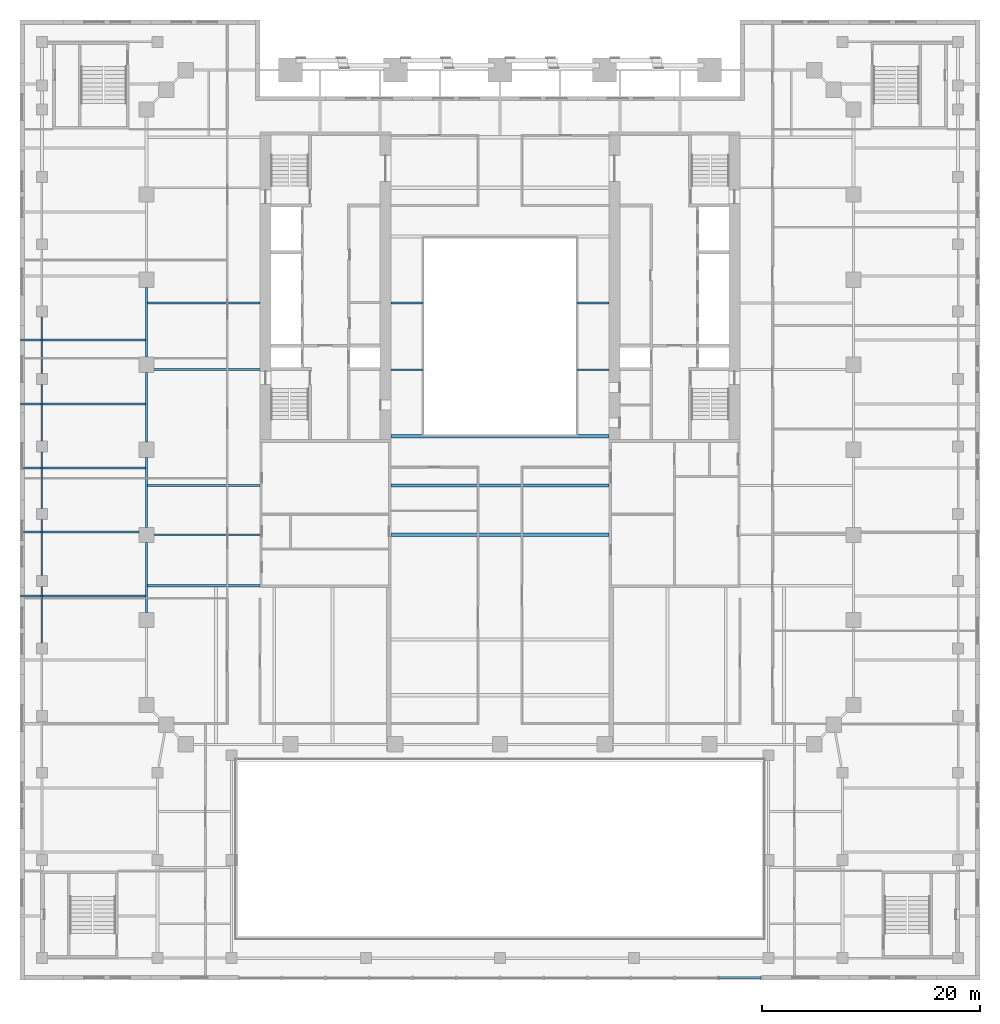
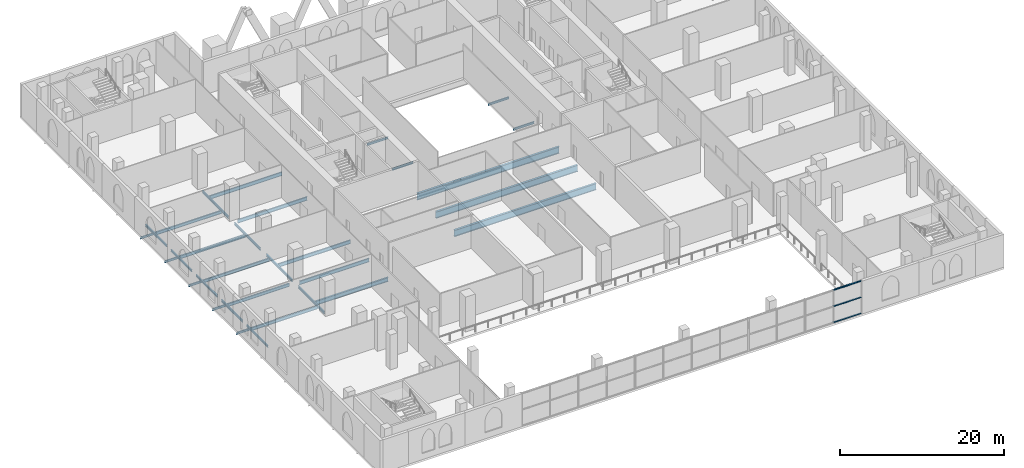
# One storey, part 4 of 22: 31 beams, 3 members, 1 element without a shape of its own.
"""IFC4 building model written with IfcOpenShell, lengths in metres."""

from ifc_helpers import new_model, si_unit, direction, frame, origin, origin_2d, place, context, subcontext, project, spatial, rectangle, i_section, extrude, material, material_profile, profile_set, type_object, element, aggregate, save


model = new_model("IFC4")

# Units and contexts
model_context = context("Model", 3, precision=1e-05, world=origin(), true_north=direction((0.0, 1.0)))
body_context = subcontext(model_context, "Body", "Model", "MODEL_VIEW")
ifc_project = project(units=[si_unit("LENGTHUNIT", "METRE"), si_unit("AREAUNIT", "SQUARE_METRE"), si_unit("VOLUMEUNIT", "CUBIC_METRE"), si_unit("PLANEANGLEUNIT", "RADIAN"), si_unit("MASSUNIT", "GRAM", prefix="KILO")], contexts=[model_context])

# Site, building, storey
site_placement = place(None, origin())
site = spatial("IfcSite", under=ifc_project, at=site_placement, CompositionType="ELEMENT")
building_placement = place(site_placement, origin())
building = spatial("IfcBuilding", under=site, at=building_placement, Name="Ogive Exchange Tower", CompositionType="ELEMENT")
storey_placement = place(building_placement, frame((0.0, 0.0, 14.0)))
storey = spatial("IfcBuildingStorey", under=building, at=storey_placement, Name="L02", CompositionType="ELEMENT", Elevation=14.0)

# Beams
ifc_material_1 = material(Name="Steel ASTM A992 Gr50", Category="steel")
ifc_material_profile_1 = material_profile(ifc_material_1, i_section(OverallWidth=0.300048828125, OverallDepth=0.969970703125, WebThickness=0.01611328125, FlangeThickness=0.02099609375, at=origin_2d()), Name="W1000x222")
ifc_profile_set_1 = profile_set([ifc_material_profile_1], Name="Steel ASTM A992 Gr50")
beam_type_1 = type_object("IfcBeamType", Name="Floor beam W1000x222", PredefinedType="JOIST", material=ifc_profile_set_1)
for number, where, z_axis, x_axis, name in (
    (1, (-10.0, -11.17822265625, -0.784912109375), (1.0, 0.0, 0.0), (0.0, 1.0, 0.0), "Floor beam"),
    (2, (-10.0, -6.666748046875, -0.784912109375), (1.0, 0.0, 0.0), (0.0, 1.0, 0.0), "Floor beam"),
):
    element("IfcBeam", number, at=place(storey_placement, frame(where, z_axis=z_axis, x_axis=x_axis)), inside=storey, type_object=beam_type_1, Name=name, PredefinedType="JOIST", context=body_context, shape_type="SweptSolid", body=[
        extrude(i_section(OverallWidth=0.300048828125, OverallDepth=0.969970703125, WebThickness=0.01611328125, FlangeThickness=0.02099609375, at=origin_2d()), origin(), (0.0, 0.0, 1.0), 20.0),
    ])
ifc_material_profile_2 = material_profile(ifc_material_1, i_section(OverallWidth=0.1650390625, OverallDepth=0.31005859375, WebThickness=0.005859375, FlangeThickness=0.009765625, at=origin_2d()), Name="W310x38.7")
ifc_profile_set_2 = profile_set([ifc_material_profile_2], Name="Steel ASTM A992 Gr50")
beam_type_2 = type_object("IfcBeamType", Name="Floor beam W310x38.7", PredefinedType="JOIST", material=ifc_profile_set_2)
for number, where, z_axis, x_axis, name in (
    (3, (-10.0, 3.9482421875, -0.455078125), (1.0, 0.0, 0.0), (0.0, 1.0, 0.0), "Floor beam"),
    (4, (7.050048828125, 3.9482421875, -0.455078125), (1.0, 0.0, 0.0), (0.0, 1.0, 0.0), "Floor beam"),
    (5, (-10.0, 10.0517578125, -0.455078125), (1.0, 0.0, 0.0), (0.0, 1.0, 0.0), "Floor beam"),
    (6, (7.050048828125, 10.0517578125, -0.455078125), (1.0, 0.0, 0.0), (0.0, 1.0, 0.0), "Floor beam"),
):
    element("IfcBeam", number, at=place(storey_placement, frame(where, z_axis=z_axis, x_axis=x_axis)), inside=storey, type_object=beam_type_2, Name=name, PredefinedType="JOIST", context=body_context, shape_type="SweptSolid", body=[
        extrude(i_section(OverallWidth=0.1650390625, OverallDepth=0.31005859375, WebThickness=0.005859375, FlangeThickness=0.009765625, at=origin_2d()), origin(), (0.0, 0.0, 1.0), 2.949951171875),
    ])
for number, where, z_axis, x_axis, name in (
    (7, (-43.949951171875, -16.800048828125, -0.455078125), (1.0, 0.0, 0.0), (0.0, 1.0, 0.0), "Floor beam"),
    (8, (-43.949951171875, -10.933349609375, -0.455078125), (1.0, 0.0, 0.0), (0.0, 1.0, 0.0), "Floor beam"),
    (9, (-43.949951171875, -5.066650390625, -0.455078125), (1.0, 0.0, 0.0), (0.0, 1.0, 0.0), "Floor beam"),
    (10, (-43.949951171875, 0.800048828125, -0.455078125), (1.0, 0.0, 0.0), (0.0, 1.0, 0.0), "Floor beam"),
    (11, (-43.949951171875, 6.666748046875, -0.455078125), (1.0, 0.0, 0.0), (0.0, 1.0, 0.0), "Floor beam"),
):
    element("IfcBeam", number, at=place(storey_placement, frame(where, z_axis=z_axis, x_axis=x_axis)), inside=storey, type_object=beam_type_2, Name=name, PredefinedType="JOIST", context=body_context, shape_type="SweptSolid", body=[
        extrude(i_section(OverallWidth=0.1650390625, OverallDepth=0.31005859375, WebThickness=0.005859375, FlangeThickness=0.009765625, at=origin_2d()), origin(), (0.0, 0.0, 1.0), 1.867431640625),
    ])
ifc_material_profile_3 = material_profile(ifc_material_1, i_section(OverallWidth=0.19091796875, OverallDepth=0.45703125, WebThickness=0.009033203125, FlangeThickness=0.014404296875, at=origin_2d()), Name="W460x74")
ifc_profile_set_3 = profile_set([ifc_material_profile_3], Name="Steel ASTM A992 Gr50")
beam_type_3 = type_object("IfcBeamType", Name="Floor beam W460x74", PredefinedType="JOIST", material=ifc_profile_set_3)
beam_1_placement = place(storey_placement, frame((-41.91748046875, -16.800048828125, -0.528564453125), z_axis=(1.0, 0.0, 0.0), x_axis=(0.0, 1.0, 0.0)))
element("IfcBeam", 12, at=beam_1_placement, inside=storey, type_object=beam_type_3, Name="Floor beam", PredefinedType="JOIST", context=body_context, shape_type="SweptSolid", body=[
    extrude(i_section(OverallWidth=0.19091796875, OverallDepth=0.45703125, WebThickness=0.009033203125, FlangeThickness=0.014404296875, at=origin_2d()), origin(), (0.0, 0.0, 1.0), 9.431884765625),
])
beam_2_placement = place(storey_placement, frame((-41.91748046875, -10.933349609375, -0.528564453125), z_axis=(1.0, 0.0, 0.0), x_axis=(0.0, 1.0, 0.0)))
element("IfcBeam", 13, at=beam_2_placement, inside=storey, type_object=beam_type_3, Name="Floor beam", PredefinedType="JOIST", context=body_context, shape_type="SweptSolid", body=[
    extrude(i_section(OverallWidth=0.19091796875, OverallDepth=0.45703125, WebThickness=0.009033203125, FlangeThickness=0.014404296875, at=origin_2d()), origin(), (0.0, 0.0, 1.0), 8.8173828125),
])
for number, where, z_axis, x_axis, name in (
    (14, (-41.91748046875, -5.066650390625, -0.528564453125), (1.0, 0.0, 0.0), (0.0, 1.0, 0.0), "Floor beam"),
    (15, (-41.91748046875, 0.800048828125, -0.528564453125), (1.0, 0.0, 0.0), (0.0, 1.0, 0.0), "Floor beam"),
    (16, (-41.91748046875, 6.666748046875, -0.528564453125), (1.0, 0.0, 0.0), (0.0, 1.0, 0.0), "Floor beam"),
):
    element("IfcBeam", number, at=place(storey_placement, frame(where, z_axis=z_axis, x_axis=x_axis)), inside=storey, type_object=beam_type_3, Name=name, PredefinedType="JOIST", context=body_context, shape_type="SweptSolid", body=[
        extrude(i_section(OverallWidth=0.19091796875, OverallDepth=0.45703125, WebThickness=0.009033203125, FlangeThickness=0.014404296875, at=origin_2d()), origin(), (0.0, 0.0, 1.0), 9.431884765625),
    ])
ifc_material_profile_4 = material_profile(ifc_material_1, i_section(OverallWidth=0.1669921875, OverallDepth=0.535888671875, WebThickness=0.01025390625, FlangeThickness=0.0166015625, at=origin_2d()), Name="W530x85")
ifc_profile_set_4 = profile_set([ifc_material_profile_4], Name="Steel ASTM A992 Gr50")
beam_type_4 = type_object("IfcBeamType", Name="Floor beam W530x85", PredefinedType="JOIST", material=ifc_profile_set_4)
beam_3_placement = place(storey_placement, frame((-31.800048828125, -11.17822265625, -0.568115234375), z_axis=(1.0, 0.0, 0.0), x_axis=(0.0, 1.0, 0.0)))
element("IfcBeam", 17, at=beam_3_placement, inside=storey, type_object=beam_type_4, Name="Floor beam", PredefinedType="JOIST", context=body_context, shape_type="SweptSolid", body=[
    extrude(i_section(OverallWidth=0.1669921875, OverallDepth=0.535888671875, WebThickness=0.01025390625, FlangeThickness=0.0166015625, at=origin_2d()), origin(), (0.0, 0.0, 1.0), 9.800048828125),
])
beam_4_placement = place(storey_placement, frame((-32.344970703125, -6.666748046875, -0.568115234375), z_axis=(1.0, 0.0, 0.0), x_axis=(0.0, 1.0, 0.0)))
element("IfcBeam", 18, at=beam_4_placement, inside=storey, type_object=beam_type_4, Name="Floor beam", PredefinedType="JOIST", context=body_context, shape_type="SweptSolid", body=[
    extrude(i_section(OverallWidth=0.1669921875, OverallDepth=0.535888671875, WebThickness=0.01025390625, FlangeThickness=0.0166015625, at=origin_2d()), origin(), (0.0, 0.0, 1.0), 10.344970703125),
])
beam_5_placement = place(storey_placement, frame((-31.800048828125, 3.9482421875, -0.568115234375), z_axis=(1.0, 0.0, 0.0), x_axis=(0.0, 1.0, 0.0)))
element("IfcBeam", 19, at=beam_5_placement, inside=storey, type_object=beam_type_4, Name="Floor beam", PredefinedType="JOIST", context=body_context, shape_type="SweptSolid", body=[
    extrude(i_section(OverallWidth=0.1669921875, OverallDepth=0.535888671875, WebThickness=0.01025390625, FlangeThickness=0.0166015625, at=origin_2d()), origin(), (0.0, 0.0, 1.0), 9.800048828125),
])
beam_6_placement = place(storey_placement, frame((-32.344970703125, 10.0517578125, -0.568115234375), z_axis=(1.0, 0.0, 0.0), x_axis=(0.0, 1.0, 0.0)))
element("IfcBeam", 20, at=beam_6_placement, inside=storey, type_object=beam_type_4, Name="Floor beam", PredefinedType="JOIST", context=body_context, shape_type="SweptSolid", body=[
    extrude(i_section(OverallWidth=0.1669921875, OverallDepth=0.535888671875, WebThickness=0.01025390625, FlangeThickness=0.0166015625, at=origin_2d()), origin(), (0.0, 0.0, 1.0), 10.344970703125),
])

# Curtain wall, members
ifc_material_2 = material(Name="Anodised aluminium and clear glass", Category="aluminium")
curtain_wall_type = type_object("IfcCurtainWallType", Name="Galleria end wall glazing", PredefinedType="NOTDEFINED", material=ifc_material_2)
curtain_wall_placement = place(storey_placement, origin())
curtain_wall = element("IfcCurtainWall", 21, at=curtain_wall_placement, inside=storey, type_object=curtain_wall_type, Name="Galleria end wall glazing run GE9", PredefinedType="NOTDEFINED")
ifc_material_3 = material(Name="Anodised aluminium", Category="aluminium")
ifc_material_profile_5 = material_profile(ifc_material_3, rectangle(XDim=0.219970703125, YDim=0.080078125, at=origin_2d()), Name="AL 80x220")
ifc_profile_set_5 = profile_set([ifc_material_profile_5], Name="Anodised aluminium")
member_type = type_object("IfcMemberType", Name="Galleria end wall glazing transom 80 x 220", PredefinedType="USERDEFINED", material=ifc_profile_set_5)
member_1_placement = place(storey_placement, frame((20.0400390625, -51.800048828125, 0.0400390625), z_axis=(1.0, 0.0, 0.0), x_axis=(0.0, 1.0, 0.0)))
member_1 = element("IfcMember", 22, at=member_1_placement, type_object=member_type, Name="GE9 transom 2.1", ObjectType="TRANSOM", PredefinedType="USERDEFINED", context=body_context, shape_type="SweptSolid", body=[
    extrude(rectangle(XDim=0.219970703125, YDim=0.080078125, at=origin_2d()), origin(), (0.0, 0.0, 1.0), 3.8798828125),
])
member_2_placement = place(storey_placement, frame((20.0400390625, -51.800048828125, 2.449951171875), z_axis=(1.0, 0.0, 0.0), x_axis=(0.0, 1.0, 0.0)))
member_2 = element("IfcMember", 23, at=member_2_placement, type_object=member_type, Name="GE9 transom 2.2", ObjectType="TRANSOM", PredefinedType="USERDEFINED", context=body_context, shape_type="SweptSolid", body=[
    extrude(rectangle(XDim=0.219970703125, YDim=0.080078125, at=origin_2d()), origin(), (0.0, 0.0, 1.0), 3.8798828125),
])
member_3_placement = place(storey_placement, frame((20.0400390625, -51.800048828125, 4.860107421875), z_axis=(1.0, 0.0, 0.0), x_axis=(0.0, 1.0, 0.0)))
member_3 = element("IfcMember", 24, at=member_3_placement, type_object=member_type, Name="GE9 transom 2.3", ObjectType="TRANSOM", PredefinedType="USERDEFINED", context=body_context, shape_type="SweptSolid", body=[
    extrude(rectangle(XDim=0.219970703125, YDim=0.080078125, at=origin_2d()), origin(), (0.0, 0.0, 1.0), 3.8798828125),
])
aggregate(curtain_wall, [member_1, member_2, member_3])

# Beams
ifc_material_profile_6 = material_profile(ifc_material_1, i_section(OverallWidth=0.300048828125, OverallDepth=0.97998046875, WebThickness=0.0166015625, FlangeThickness=0.026123046875, at=origin_2d()), Name="W1000x249")
ifc_profile_set_6 = profile_set([ifc_material_profile_6], Name="Steel ASTM A992 Gr50")
beam_type_5 = type_object("IfcBeamType", Name="Girder W1000x249", PredefinedType="BEAM", material=ifc_profile_set_6)
beam_7_placement = place(storey_placement, frame((-10.0, -2.155029296875, -0.7900390625), z_axis=(1.0, 0.0, 0.0), x_axis=(0.0, 1.0, 0.0)))
element("IfcBeam", 25, at=beam_7_placement, inside=storey, type_object=beam_type_5, Name="Trimmer girder", PredefinedType="BEAM", context=body_context, shape_type="SweptSolid", body=[
    extrude(i_section(OverallWidth=0.300048828125, OverallDepth=0.97998046875, WebThickness=0.0166015625, FlangeThickness=0.026123046875, at=origin_2d()), origin(), (0.0, 0.0, 1.0), 20.0),
])
ifc_material_profile_7 = material_profile(ifc_material_1, i_section(OverallWidth=0.1650390625, OverallDepth=0.31005859375, WebThickness=0.005859375, FlangeThickness=0.009765625, at=origin_2d()), Name="W310x38.7")
ifc_profile_set_7 = profile_set([ifc_material_profile_7], Name="Steel ASTM A992 Gr50")
beam_type_6 = type_object("IfcBeamType", Name="Girder W310x38.7", PredefinedType="BEAM", material=ifc_profile_set_7)
beam_8_placement = place(storey_placement, frame((-42.0, -21.1201171875, -0.455078125), z_axis=(0.0, 1.0, 0.0), x_axis=(-1.0, 0.0, 0.0)))
element("IfcBeam", 26, at=beam_8_placement, inside=storey, type_object=beam_type_6, Name="Girder", PredefinedType="BEAM", context=body_context, shape_type="SweptSolid", body=[
    extrude(i_section(OverallWidth=0.1650390625, OverallDepth=0.31005859375, WebThickness=0.005859375, FlangeThickness=0.009765625, at=origin_2d()), origin(), (0.0, 0.0, 1.0), 5.18017578125),
])
beam_9_placement = place(storey_placement, frame((-42.0, -14.93994140625, -0.455078125), z_axis=(0.0, 1.0, 0.0), x_axis=(-1.0, 0.0, 0.0)))
element("IfcBeam", 27, at=beam_9_placement, inside=storey, type_object=beam_type_6, Name="Girder", PredefinedType="BEAM", context=body_context, shape_type="SweptSolid", body=[
    extrude(i_section(OverallWidth=0.1650390625, OverallDepth=0.31005859375, WebThickness=0.005859375, FlangeThickness=0.009765625, at=origin_2d()), origin(), (0.0, 0.0, 1.0), 5.169921875),
])
beam_10_placement = place(storey_placement, frame((-42.0, -8.77001953125, -0.455078125), z_axis=(0.0, 1.0, 0.0), x_axis=(-1.0, 0.0, 0.0)))
element("IfcBeam", 28, at=beam_10_placement, inside=storey, type_object=beam_type_6, Name="Girder", PredefinedType="BEAM", context=body_context, shape_type="SweptSolid", body=[
    extrude(i_section(OverallWidth=0.1650390625, OverallDepth=0.31005859375, WebThickness=0.005859375, FlangeThickness=0.009765625, at=origin_2d()), origin(), (0.0, 0.0, 1.0), 5.179931640625),
])
beam_11_placement = place(storey_placement, frame((-42.0, -2.590087890625, -0.455078125), z_axis=(0.0, 1.0, 0.0), x_axis=(-1.0, 0.0, 0.0)))
element("IfcBeam", 29, at=beam_11_placement, inside=storey, type_object=beam_type_6, Name="Girder", PredefinedType="BEAM", context=body_context, shape_type="SweptSolid", body=[
    extrude(i_section(OverallWidth=0.1650390625, OverallDepth=0.31005859375, WebThickness=0.005859375, FlangeThickness=0.009765625, at=origin_2d()), origin(), (0.0, 0.0, 1.0), 5.18017578125),
])
beam_12_placement = place(storey_placement, frame((-42.0, 3.590087890625, -0.455078125), z_axis=(0.0, 1.0, 0.0), x_axis=(-1.0, 0.0, 0.0)))
element("IfcBeam", 30, at=beam_12_placement, inside=storey, type_object=beam_type_6, Name="Girder", PredefinedType="BEAM", context=body_context, shape_type="SweptSolid", body=[
    extrude(i_section(OverallWidth=0.1650390625, OverallDepth=0.31005859375, WebThickness=0.005859375, FlangeThickness=0.009765625, at=origin_2d()), origin(), (0.0, 0.0, 1.0), 5.179931640625),
])
ifc_material_profile_8 = material_profile(ifc_material_1, i_section(OverallWidth=0.1708984375, OverallDepth=0.35595703125, WebThickness=0.00732421875, FlangeThickness=0.01171875, at=origin_2d()), Name="W360x51")
ifc_profile_set_8 = profile_set([ifc_material_profile_8], Name="Steel ASTM A992 Gr50")
beam_type_7 = type_object("IfcBeamType", Name="Girder W360x51", PredefinedType="BEAM", material=ifc_profile_set_8)
for number, where, z_axis, x_axis, name in (
    (31, (-32.39990234375, 11.5, -0.47802734375), (0.0, -1.0, 0.0), (1.0, 0.0, 0.0), "Girder"),
    (32, (-32.39990234375, 3.699951171875, -0.47802734375), (0.0, -1.0, 0.0), (1.0, 0.0, 0.0), "Girder"),
    (33, (-32.39990234375, -4.10009765625, -0.47802734375), (0.0, -1.0, 0.0), (1.0, 0.0, 0.0), "Girder"),
):
    element("IfcBeam", number, at=place(storey_placement, frame(where, z_axis=z_axis, x_axis=x_axis)), inside=storey, type_object=beam_type_7, Name=name, PredefinedType="BEAM", context=body_context, shape_type="SweptSolid", body=[
        extrude(i_section(OverallWidth=0.1708984375, OverallDepth=0.35595703125, WebThickness=0.00732421875, FlangeThickness=0.01171875, at=origin_2d()), origin(), (0.0, 0.0, 1.0), 6.39990234375),
    ])
beam_13_placement = place(storey_placement, frame((-32.39990234375, -11.89990234375, -0.47802734375), z_axis=(0.0, -1.0, 0.0), x_axis=(1.0, 0.0, 0.0)))
element("IfcBeam", 34, at=beam_13_placement, inside=storey, type_object=beam_type_7, Name="Girder", PredefinedType="BEAM", context=body_context, shape_type="SweptSolid", body=[
    extrude(i_section(OverallWidth=0.1708984375, OverallDepth=0.35595703125, WebThickness=0.00732421875, FlangeThickness=0.01171875, at=origin_2d()), origin(), (0.0, 0.0, 1.0), 6.400146484375),
])
ifc_material_profile_9 = material_profile(ifc_material_1, i_section(OverallWidth=0.22802734375, OverallDepth=0.60205078125, WebThickness=0.010498046875, FlangeThickness=0.014892578125, at=origin_2d()), Name="W610x101")
ifc_profile_set_9 = profile_set([ifc_material_profile_9], Name="Steel ASTM A992 Gr50")
beam_type_8 = type_object("IfcBeamType", Name="Girder W610x101", PredefinedType="BEAM", material=ifc_profile_set_9)
beam_14_placement = place(storey_placement, frame((-22.0, -15.844970703125, -0.60107421875), z_axis=(-1.0, 0.0, 0.0), x_axis=(0.0, -1.0, 0.0)))
element("IfcBeam", 35, at=beam_14_placement, inside=storey, type_object=beam_type_8, Name="Header girder", PredefinedType="BEAM", context=body_context, shape_type="SweptSolid", body=[
    extrude(i_section(OverallWidth=0.22802734375, OverallDepth=0.60205078125, WebThickness=0.010498046875, FlangeThickness=0.014892578125, at=origin_2d()), origin(), (0.0, 0.0, 1.0), 10.344970703125),
])

save(model, "model.ifc")
